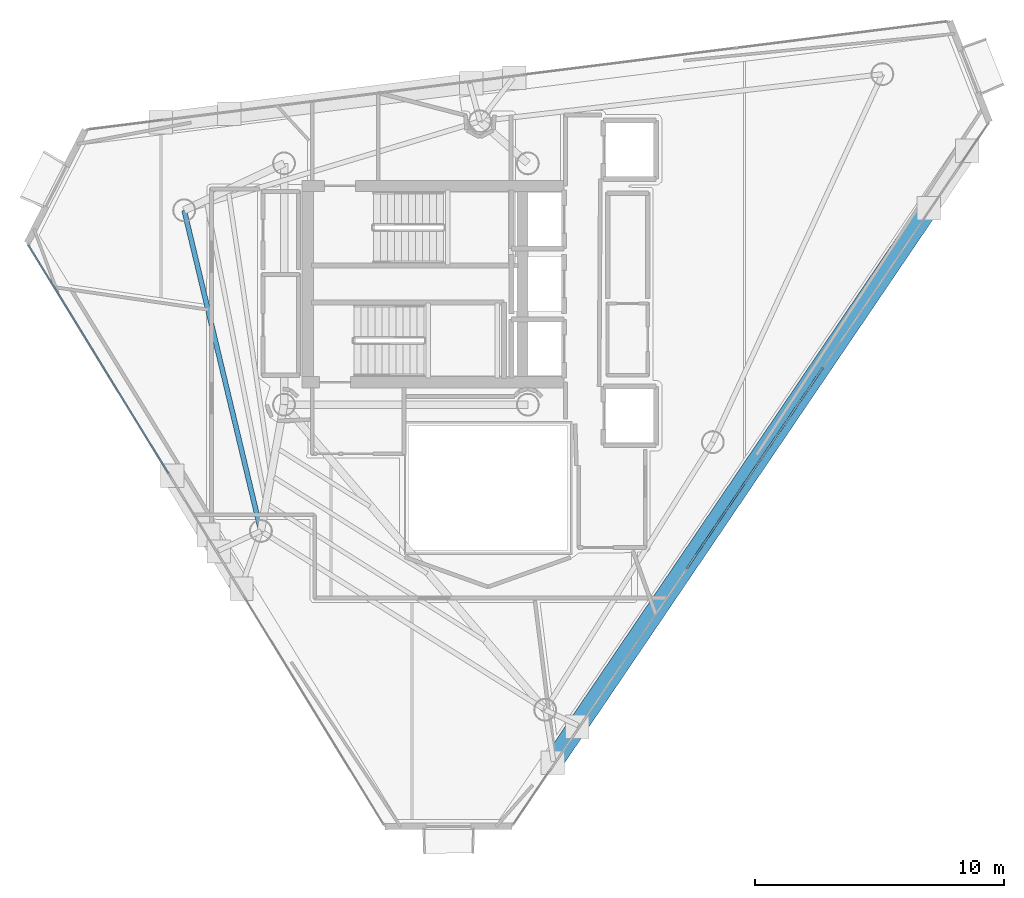
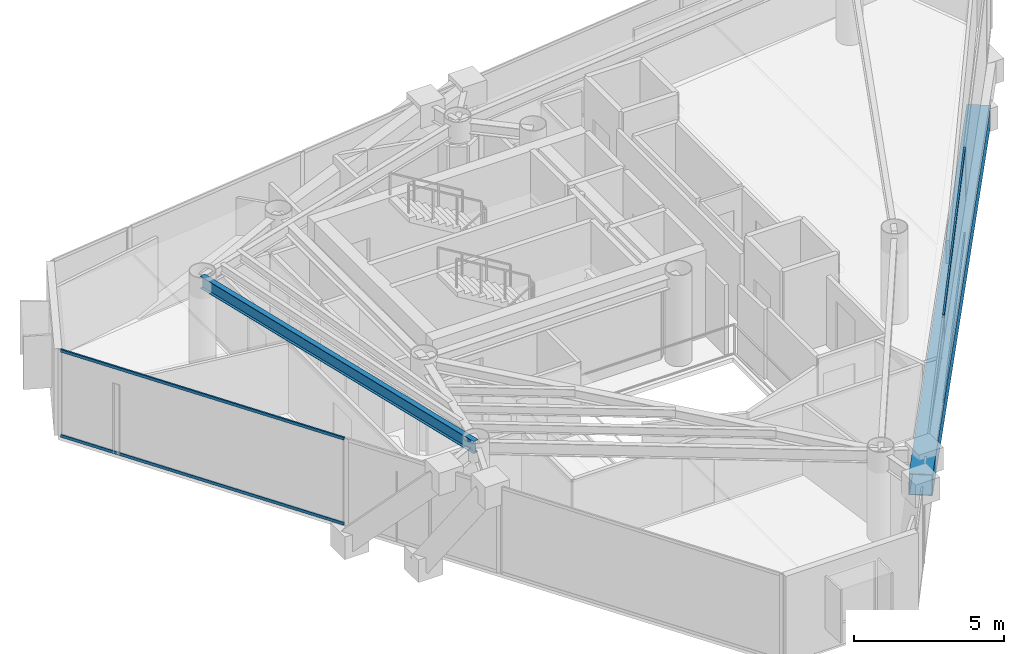
# One storey, part 7 of 23: 5 members, 1 beam, 2 elements without a shape of their own.
"""IFC4 building model written with IfcOpenShell, lengths in metres."""

from ifc_helpers import new_model, si_unit, direction, frame, origin, origin_2d, place, context, subcontext, project, spatial, hollow_rectangle, i_section, extrude, material, layer, layer_set, material_profile, profile_set, type_object, element, aggregate, save


model = new_model("IFC4")

# Units and contexts
model_context = context("Model", 3, precision=1e-05, world=origin(), true_north=direction((0.0, 1.0)))
body_context = subcontext(model_context, "Body", "Model", "MODEL_VIEW")
ifc_project = project(units=[si_unit("LENGTHUNIT", "METRE"), si_unit("AREAUNIT", "SQUARE_METRE"), si_unit("VOLUMEUNIT", "CUBIC_METRE"), si_unit("PLANEANGLEUNIT", "RADIAN"), si_unit("MASSUNIT", "GRAM", prefix="KILO")], contexts=[model_context])

# Site, building, storey
site_placement = place(None, origin())
site = spatial("IfcSite", under=ifc_project, at=site_placement, CompositionType="ELEMENT")
building_placement = place(site_placement, origin())
building = spatial("IfcBuilding", under=site, at=building_placement, Name="Qianvela Tower", CompositionType="ELEMENT")
storey_placement = place(building_placement, frame((0.0, 0.0, 284.300048828125)))
storey = spatial("IfcBuildingStorey", under=building, at=storey_placement, Name="L73", CompositionType="ELEMENT", Elevation=284.300048828125)

# Beam
ifc_material_1 = material(Name="Steel Q355B", Category="steel")
ifc_material_profile_1 = material_profile(ifc_material_1, i_section(OverallWidth=0.199951171875, OverallDepth=0.5, WebThickness=0.010009765625, FlangeThickness=0.01611328125, at=origin_2d()), Name="HN500x200x10x16")
ifc_profile_set_1 = profile_set([ifc_material_profile_1], Name="Steel Q355B")
beam_type = type_object("IfcBeamType", Name="BM-HN500-GIRD", PredefinedType="BEAM", material=ifc_profile_set_1)
beam_placement = place(storey_placement, frame((24.5869140625, 31.6630859375, 3.26806640625), z_axis=(0.232631550142, -0.972564939672, 0.0), x_axis=(0.972564939672, 0.232631550142, 0.0)))
element("IfcBeam", 1, at=beam_placement, inside=storey, type_object=beam_type, Name="L73 Perimeter Ring Spandrel Girder 3", PredefinedType="BEAM", context=body_context, shape_type="SweptSolid", body=[
    extrude(i_section(OverallWidth=0.199951171875, OverallDepth=0.5, WebThickness=0.010009765625, FlangeThickness=0.01611328125, at=origin_2d()), origin(), (0.0, 0.0, 1.0), 13.252685546875),
])

# Curtain wall, members
ifc_material_2 = material(Name="Anodised Architectural Aluminium and Insulated Spandrel Panel", Category="aluminium")
ifc_layer_1 = layer(ifc_material_2, 0.179931640625)
ifc_layer_set_1 = layer_set([ifc_layer_1], Name="Anodised Architectural Aluminium and Insulated Spandrel Panel")
curtain_wall_type_1 = type_object("IfcCurtainWallType", Name="CW-BRACEBAY", PredefinedType="USERDEFINED", material=ifc_layer_set_1)
curtain_wall_1_placement = place(storey_placement, origin())
curtain_wall_1 = element("IfcCurtainWall", 2, at=curtain_wall_1_placement, inside=storey, type_object=curtain_wall_type_1, Name="L73 CW-BRACEBAY Curtain Wall 06B", ObjectType="CURTAIN_WALL_SYSTEM", PredefinedType="USERDEFINED")
ifc_material_3 = material(Name="Anodised Architectural Aluminium 6063-T6", Category="aluminium")
ifc_material_profile_2 = material_profile(ifc_material_3, hollow_rectangle(XDim=0.06494140625, YDim=0.1298828125, WallThickness=0.00439453125, at=origin_2d()), Name="ALU-TRAN-65x130")
ifc_profile_set_2 = profile_set([ifc_material_profile_2], Name="Anodised Architectural Aluminium 6063-T6")
member_type_1 = type_object("IfcMemberType", Name="CW-BRACEBAY-TRAN", PredefinedType="USERDEFINED", material=ifc_profile_set_2)
member_1_placement = place(storey_placement, frame((44.790283203125, 17.270263671875, 0.032470703125), z_axis=(0.561049974775, 0.827781931311, 0.0), x_axis=(-0.827781931311, 0.561049974775, 0.0)))
member_1 = element("IfcMember", 3, at=member_1_placement, type_object=member_type_1, Name="CW-9 transom 2.1", ObjectType="TRANSOM", PredefinedType="USERDEFINED", context=body_context, shape_type="SweptSolid", body=[
    extrude(hollow_rectangle(XDim=0.06494140625, YDim=0.1298828125, WallThickness=0.00439453125, at=origin_2d()), origin(), (0.0, 0.0, 1.0), 9.76171875),
])
member_2_placement = place(storey_placement, frame((44.790283203125, 17.270263671875, 3.487548828125), z_axis=(0.561049974775, 0.827781931311, 0.0), x_axis=(-0.827781931311, 0.561049974775, 0.0)))
member_2 = element("IfcMember", 4, at=member_2_placement, type_object=member_type_1, Name="CW-9 transom 2.2", ObjectType="TRANSOM", PredefinedType="USERDEFINED", context=body_context, shape_type="SweptSolid", body=[
    extrude(hollow_rectangle(XDim=0.06494140625, YDim=0.1298828125, WallThickness=0.00439453125, at=origin_2d()), origin(), (0.0, 0.0, 1.0), 9.76171875),
])
aggregate(curtain_wall_1, [member_1, member_2])

ifc_material_4 = material(Name="Anodised Architectural Aluminium and Low-E Glass", Category="aluminium")
ifc_layer_2 = layer(ifc_material_4, 0.14990234375)
ifc_layer_set_2 = layer_set([ifc_layer_2], Name="Anodised Architectural Aluminium and Low-E Glass")
curtain_wall_type_2 = type_object("IfcCurtainWallType", Name="CW-COLIV-Z78", PredefinedType="USERDEFINED", material=ifc_layer_set_2)
curtain_wall_2_placement = place(storey_placement, origin())
curtain_wall_2 = element("IfcCurtainWall", 5, at=curtain_wall_2_placement, inside=storey, type_object=curtain_wall_type_2, Name="L73 CW-COLIV-Z78 Curtain Wall 04A", ObjectType="CURTAIN_WALL_SYSTEM", PredefinedType="USERDEFINED")
ifc_material_5 = material(Name="Anodised Architectural Aluminium 6063-T6", Category="aluminium")
ifc_material_profile_3 = material_profile(ifc_material_5, hollow_rectangle(XDim=0.06005859375, YDim=0.114990234375, WallThickness=0.00390625, at=origin_2d()), Name="ALU-TRAN-60x115")
ifc_profile_set_3 = profile_set([ifc_material_profile_3], Name="Anodised Architectural Aluminium 6063-T6")
member_type_2 = type_object("IfcMemberType", Name="CW-COLIV-Z78-TRAN", PredefinedType="USERDEFINED", material=ifc_profile_set_3)
member_3_placement = place(storey_placement, frame((18.335693359375, 30.25634765625, 0.030029296875), z_axis=(0.522801904501, -0.852454203257, 0.0), x_axis=(0.852454203257, 0.522801904501, 0.0)))
member_3 = element("IfcMember", 6, at=member_3_placement, type_object=member_type_2, Name="CW-6 transom 1.1", ObjectType="TRANSOM", PredefinedType="USERDEFINED", context=body_context, shape_type="SweptSolid", body=[
    extrude(hollow_rectangle(XDim=0.06005859375, YDim=0.114990234375, WallThickness=0.00390625, at=origin_2d()), origin(), (0.0, 0.0, 1.0), 10.740234375),
])
member_4_placement = place(storey_placement, frame((18.335693359375, 30.25634765625, 3.489990234375), z_axis=(0.522801904501, -0.852454203257, 0.0), x_axis=(0.852454203257, 0.522801904501, 0.0)))
member_4 = element("IfcMember", 7, at=member_4_placement, type_object=member_type_2, Name="CW-6 transom 1.2", ObjectType="TRANSOM", PredefinedType="USERDEFINED", context=body_context, shape_type="SweptSolid", body=[
    extrude(hollow_rectangle(XDim=0.06005859375, YDim=0.114990234375, WallThickness=0.00390625, at=origin_2d()), origin(), (0.0, 0.0, 1.0), 10.740234375),
])
aggregate(curtain_wall_2, [member_3, member_4])

# Member
ifc_material_6 = material(Name="Steel Q420GJC", Category="steel")
ifc_material_profile_4 = material_profile(ifc_material_6, hollow_rectangle(XDim=0.800048828125, YDim=0.800048828125, WallThickness=0.028076171875, at=origin_2d()), Name="MBOX-800x800x28")
ifc_profile_set_4 = profile_set([ifc_material_profile_4], Name="Steel Q420GJC")
member_type_3 = type_object("IfcMemberType", Name="MBR-MBRACE-800", PredefinedType="BRACE", material=ifc_profile_set_4)
member_5_placement = place(storey_placement, frame((54.4736328125, 31.700439453125, -0.48193359375), z_axis=(-0.555758662014, -0.82002503615, 0.136715945246), x_axis=(0.827797816051, -0.561026537466, 0.0)))
element("IfcMember", 8, at=member_5_placement, inside=storey, type_object=member_type_3, Name="L73 Tier 12 Exterior Mega-Brace F3A", PredefinedType="BRACE", context=body_context, shape_type="SweptSolid", body=[
    extrude(hollow_rectangle(XDim=0.800048828125, YDim=0.800048828125, WallThickness=0.028076171875, at=origin_2d()), origin(), (0.0, 0.0, 1.0), 27.06298828125),
])

save(model, "model.ifc")
